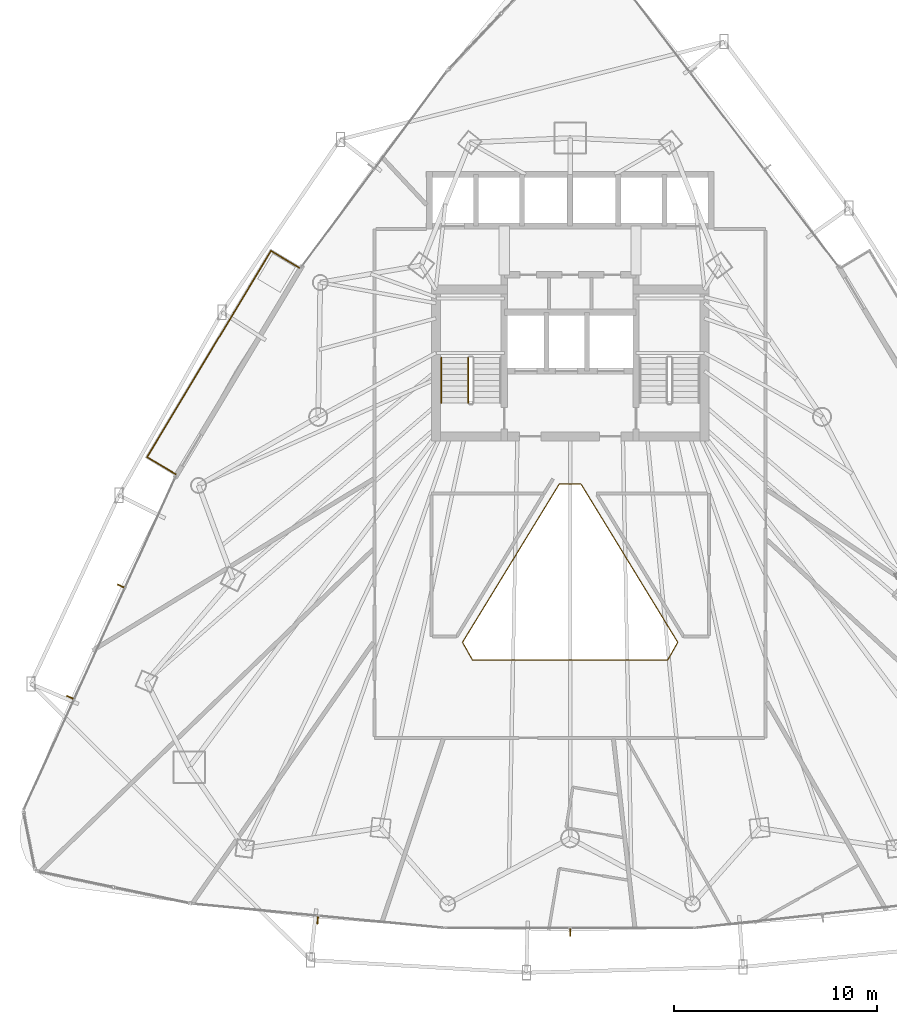
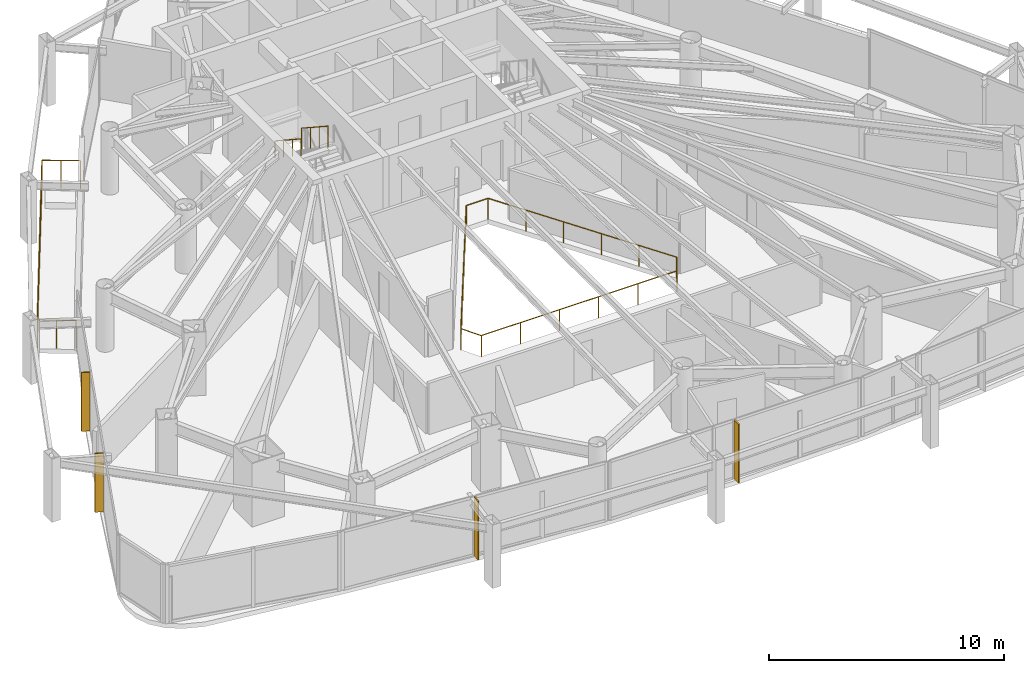
# One storey, part 31 of 33: 4 railings, 4 shading devices.
"""IFC4 building model written with IfcOpenShell, lengths in metres."""

import ifcopenshell
import ifcopenshell.guid

model = None  # the IFC model being written
_history = None  # IfcOwnerHistory: only IFC2X3 demands one
_inside = {}  # id of a spatial element -> (the spatial element, [elements in it])
_under = {}  # id of a project, library or spatial element -> (it, [spatial elements below it])
_declared = {}  # id of a project -> (the project, [libraries it declares])
_typed = {}  # id of a type object -> (the type object, [elements of that type])
_made_of = {}  # id of a material, layer set ... -> (it, [elements and type objects made of it])


def new_model(schema):
    """Start an empty IFC model of exactly this schema.

    Asked for "IFC4X3", IfcOpenShell would pick the latest addendum, in which some entities
    have other attributes; the version numbers below select the first issue.
    IFC2X3 requires an IfcOwnerHistory on every rooted entity: one is made here for all.
    """
    global model, _history
    if schema == "IFC4X3":
        model = ifcopenshell.file(schema_version=(4, 3, 0, 0))
    else:
        model = ifcopenshell.file(schema=schema)
    _inside.clear()
    _under.clear()
    _declared.clear()
    _typed.clear()
    _made_of.clear()
    _history = None
    if model.schema == "IFC2X3":
        org = make("IfcOrganization", Name="unknown")
        user = make(
            "IfcPersonAndOrganization",
            ThePerson=make("IfcPerson", FamilyName="unknown"),
            TheOrganization=org,
        )
        app = make(
            "IfcApplication",
            ApplicationDeveloper=org,
            Version="unknown",
            ApplicationFullName="unknown",
            ApplicationIdentifier="unknown",
        )
        _history = make(
            "IfcOwnerHistory",
            OwningUser=user,
            OwningApplication=app,
            ChangeAction="ADDED",
            CreationDate=0,
        )
    return model


def make(cls, **values):
    """One entity of the class cls with the attributes given. An attribute that is None is left unset."""
    return model.create_entity(
        cls, **{name: value for name, value in values.items() if value is not None}
    )


def rooted(cls, **values):
    """An entity with a GlobalId (a new one), such as an element, a storey or a relation."""
    return make(cls, GlobalId=ifcopenshell.guid.new(), OwnerHistory=_history, **values)


def si_unit(unit_type, name, prefix=None):
    """IfcSIUnit, for example si_unit("LENGTHUNIT", "METRE", prefix="MILLI")."""
    return make("IfcSIUnit", UnitType=unit_type, Prefix=prefix, Name=name)


def assignment(units):
    """IfcUnitAssignment: the units of a project."""
    return None if units is None else make("IfcUnitAssignment", Units=units)


def point(xyz):
    """IfcCartesianPoint."""
    return None if xyz is None else make("IfcCartesianPoint", Coordinates=xyz)


def direction(xyz):
    """IfcDirection."""
    return None if xyz is None else make("IfcDirection", DirectionRatios=xyz)


def frame(location, z_axis=None, x_axis=None):
    """IfcAxis2Placement3D, a coordinate frame: its origin and axes. An axis left out is left unset."""
    return make(
        "IfcAxis2Placement3D",
        Location=point(location),
        Axis=direction(z_axis),
        RefDirection=direction(x_axis),
    )


def frame_2d(location, x_axis=None):
    """IfcAxis2Placement2D, a coordinate frame in the plane: its origin and x axis."""
    return make(
        "IfcAxis2Placement2D", Location=point(location), RefDirection=direction(x_axis)
    )


def origin():
    """The frame at (0, 0, 0) with its axes left unset."""
    return frame((0.0, 0.0, 0.0))


def origin_2d():
    """The frame at (0, 0) in the plane with its x axis left unset."""
    return frame_2d((0.0, 0.0))


def place(relative_to, where):
    """IfcLocalPlacement: puts the frame where relative to a parent placement (None: the world)."""
    return make(
        "IfcLocalPlacement", PlacementRelTo=relative_to, RelativePlacement=where
    )


def context(
    kind, dimensions, precision=None, world=None, true_north=None, identifier=None
):
    """IfcGeometricRepresentationContext, for example the 3D "Model" context."""
    return make(
        "IfcGeometricRepresentationContext",
        ContextIdentifier=identifier,
        ContextType=kind,
        CoordinateSpaceDimension=dimensions,
        Precision=precision,
        WorldCoordinateSystem=world,
        TrueNorth=true_north,
    )


def subcontext(parent, identifier, kind, view, scale=None):
    """IfcGeometricRepresentationSubContext, for example "Body" below "Model"."""
    return make(
        "IfcGeometricRepresentationSubContext",
        ContextIdentifier=identifier,
        ContextType=kind,
        ParentContext=parent,
        TargetScale=scale,
        TargetView=view,
    )


def project(units=None, contexts=None):
    """IfcProject with its units and contexts."""
    return rooted(
        "IfcProject",
        Name="project",
        RepresentationContexts=contexts,
        UnitsInContext=assignment(units),
    )


def spatial(cls, under=None, at=None, **own):
    """A site, building, storey or space (cls), placed at a placement, below another one or the project."""
    s = rooted(cls, ObjectPlacement=at, **own)
    if under is not None:
        _under.setdefault(under.id(), (under, []))[1].append(s)
    return s


def profile(cls, at=None, kind="AREA", **sizes):
    """A parametric profile (cls). Its sizes go by their IFC names, for example OverallWidth=200.0."""
    return make(cls, ProfileType=kind, Position=at, **sizes)


def rectangle(**sizes):
    """IfcRectangleProfileDef."""
    return profile("IfcRectangleProfileDef", **sizes)


def circle(**sizes):
    """IfcCircleProfileDef."""
    return profile("IfcCircleProfileDef", **sizes)


def extrude(swept, where, along, depth):
    """IfcExtrudedAreaSolid: the profile swept, set in the frame where, extruded along a direction by depth."""
    return make(
        "IfcExtrudedAreaSolid",
        SweptArea=swept,
        Position=where,
        ExtrudedDirection=direction(along),
        Depth=depth,
    )


def shape(context_of_items, identifier, shape_type, items):
    """IfcShapeRepresentation: the items that make up one representation, for example the "Body"."""
    return make(
        "IfcShapeRepresentation",
        ContextOfItems=context_of_items,
        RepresentationIdentifier=identifier,
        RepresentationType=shape_type,
        Items=items,
    )


def material(Name=None, Category=None):
    """IfcMaterial."""
    return make("IfcMaterial", Name=Name, Category=Category)


def layer(
    of_material, thickness, ventilated=None, Name=None, Category=None, Priority=None
):
    """IfcMaterialLayer: one layer of a wall or slab, of a material (None: an air gap)."""
    return make(
        "IfcMaterialLayer",
        Material=of_material,
        LayerThickness=thickness,
        IsVentilated=ventilated,
        Name=Name,
        Category=Category,
        Priority=Priority,
    )


def layer_set(layers, Name=None):
    """IfcMaterialLayerSet."""
    return make("IfcMaterialLayerSet", MaterialLayers=layers, LayerSetName=Name)


def made_of(thing, what):
    """Note that an element or type object is made of a material, layer set ...; save() writes the relation."""
    if what is not None:
        _made_of.setdefault(what.id(), (what, []))[1].append(thing)
    return thing


def type_object(cls, material=None, **own):
    """A type object (cls), such as IfcWallType, which elements share."""
    return made_of(rooted(cls, **own), material)


def element(
    cls,
    number,
    at=None,
    inside=None,
    cuts=None,
    type_object=None,
    material=None,
    context=None,
    identifier="Body",
    shape_type=None,
    held_by="IfcProductDefinitionShape",
    body=None,
    shapes=None,
    **own,
):
    """One element of the class cls, such as IfcWall. Its Tag is "e" and its number.

    at: its placement. inside: the storey or other place that contains it. cuts: it is an
    opening in that element (IfcRelVoidsElement). A single representation is given by context,
    identifier, shape_type and body (its items); several are given by shapes. held_by: the class
    of the entity that holds the representations. save() writes the other relations.
    """
    e = rooted(cls, Tag="e%d" % number, ObjectPlacement=at, **own)
    if body is not None:
        shapes = [shape(context, identifier, shape_type, body)]
    if shapes is not None:
        e.Representation = make(held_by, Representations=shapes)
    if inside is not None:
        _inside.setdefault(inside.id(), (inside, []))[1].append(e)
    if cuts is not None:
        rooted(
            "IfcRelVoidsElement", RelatingBuildingElement=cuts, RelatedOpeningElement=e
        )
    if type_object is not None:
        _typed.setdefault(type_object.id(), (type_object, []))[1].append(e)
    return made_of(e, material)


def aggregate(whole, parts):
    """IfcRelAggregates: a whole, such as a stair, and the parts it consists of."""
    return rooted("IfcRelAggregates", RelatingObject=whole, RelatedObjects=parts)


def save(model, path):
    """Write the relations noted so far, then the file.

    IfcRelAggregates (storeys below a building ...), IfcRelContainedInSpatialStructure (elements
    in a storey), IfcRelDefinesByType, IfcRelAssociatesMaterial and IfcRelDeclares: one each for
    every whole, place, type object, material and project.
    """
    for whole, parts in _under.values():
        aggregate(whole, parts)
    for where, things in _inside.values():
        rooted(
            "IfcRelContainedInSpatialStructure",
            RelatedElements=things,
            RelatingStructure=where,
        )
    for kind, things in _typed.values():
        rooted("IfcRelDefinesByType", RelatedObjects=things, RelatingType=kind)
    for what, things in _made_of.values():
        rooted("IfcRelAssociatesMaterial", RelatedObjects=things, RelatingMaterial=what)
    for by, libraries in _declared.values():
        rooted("IfcRelDeclares", RelatingContext=by, RelatedDefinitions=libraries)
    model.write(path)


model = new_model("IFC4")

# Units and contexts
model_context = context("Model", 3, precision=1e-05, world=origin(), true_north=direction((0.0, 1.0)))
body_context = subcontext(model_context, "Body", "Model", "MODEL_VIEW")
ifc_project = project(units=[si_unit("LENGTHUNIT", "METRE"), si_unit("AREAUNIT", "SQUARE_METRE"), si_unit("VOLUMEUNIT", "CUBIC_METRE"), si_unit("PLANEANGLEUNIT", "RADIAN"), si_unit("MASSUNIT", "GRAM", prefix="KILO")], contexts=[model_context])

# Site, building, storey
site_placement = place(None, origin())
site = spatial("IfcSite", under=ifc_project, at=site_placement, CompositionType="ELEMENT")
building_placement = place(site_placement, origin())
building = spatial("IfcBuilding", under=site, at=building_placement, Name="Orvanel Arch Residences", CompositionType="ELEMENT")
storey_placement = place(building_placement, frame((0.0, 0.0, 90.64990234375)))
storey = spatial("IfcBuildingStorey", under=building, at=storey_placement, Name="L25", CompositionType="ELEMENT", Elevation=90.64990234375)

# Shading devices
ifc_material_1 = material(Name="Bronze-anodised aluminium AA6063-T6", Category="aluminium")
ifc_layer = layer(ifc_material_1, 0.06005859375)
ifc_layer_set = layer_set([ifc_layer], Name="Bronze-anodised aluminium AA6063-T6")
shading_device_type = type_object("IfcShadingDeviceType", Name="FIN-BRZ-380", PredefinedType="USERDEFINED", material=ifc_layer_set)
for number, where, z_axis, x_axis, name in (
    (1, (10.8359375, 19.291015625, 0.0), (0.0, 0.0, 1.0), (-0.909961270877, 0.414693242656, 0.0), "L25 Anodised Bronze Mullion FIN 01"),
    (2, (8.330078125, 13.797119140625, 0.0), (0.0, 0.0, 1.0), (-0.909961270877, 0.414693242656, 0.0), "L25 Anodised Bronze Mullion FIN 02"),
    (3, (20.544921875, 2.802001953125, 0.0), (0.0, 0.0, 1.0), (-0.09584575252, -0.995396198367, 0.0), "L25 Anodised Bronze Mullion FIN 01"),
    (4, (33.0, 2.205078125, 0.0), (0.0, 0.0, 1.0), (0.0, -1.0, 0.0), "L25 Anodised Bronze Mullion FIN 01"),
):
    element("IfcShadingDevice", number, at=place(storey_placement, frame(where, z_axis=z_axis, x_axis=x_axis)), inside=storey, type_object=shading_device_type, Name=name, ObjectType="FIN", PredefinedType="USERDEFINED", context=body_context, shape_type="SweptSolid", body=[
        extrude(rectangle(XDim=0.3798828125, YDim=0.06005859375, at=origin_2d()), origin(), (0.0, 0.0, 1.0), 3.06005859375),
    ])

# Railings
railing_type_1 = type_object("IfcRailingType", Name="RL-ATR-1120", PredefinedType="BALUSTRADE", material=ifc_material_1)
railing_1_placement = place(storey_placement, frame((33.5380859375, 24.320068359375, 0.0)))
element("IfcRailing", 5, at=railing_1_placement, inside=storey, type_object=railing_type_1, Name="L25 Atrium Void Protective Balustrade", PredefinedType="BALUSTRADE", context=body_context, shape_type="SweptSolid", body=[
    extrude(circle(Radius=0.02392578125, at=origin_2d()), frame((-0.00146484375, 0.0, 1.09619140625), z_axis=(-1.0, 0.0, 0.0), x_axis=(0.0, -1.0, 0.0)), (0.0, 0.0, 1.0), 1.0732421875),
    extrude(circle(Radius=0.02392578125, at=origin_2d()), frame((-1.076904296875, -0.001220703125, 1.09619140625), z_axis=(-0.521572022465, -0.853207258163, 0.0), x_axis=(0.853207258163, -0.521572022465, 0.0)), (0.0, 0.0, 1.0), 9.142578125),
    extrude(circle(Radius=0.02392578125, at=origin_2d()), frame((-5.845458984375, -7.80419921875, 1.09619140625), z_axis=(0.489560568863, -0.871969293849, 0.0), x_axis=(0.871969293849, 0.489560568863, 0.0)), (0.0, 0.0, 1.0), 1.00634765625),
    extrude(circle(Radius=0.02392578125, at=origin_2d()), frame((-5.3505859375, -8.68310546875, 1.09619140625), z_axis=(1.0, 0.0, 0.0), x_axis=(0.0, 1.0, 0.0)), (0.0, 0.0, 1.0), 9.625),
    extrude(circle(Radius=0.02392578125, at=origin_2d()), frame((4.276611328125, -8.681884765625, 1.09619140625), z_axis=(0.489560568863, 0.871969293849, 0.0), x_axis=(-0.871969293849, 0.489560568863, 0.0)), (0.0, 0.0, 1.0), 1.00634765625),
    extrude(circle(Radius=0.02392578125, at=origin_2d()), frame((4.769287109375, -7.8017578125, 1.09619140625), z_axis=(-0.521572022465, 0.853207258163, 0.0), x_axis=(-0.853207258163, -0.521572022465, 0.0)), (0.0, 0.0, 1.0), 9.142578125),
    extrude(circle(Radius=0.02099609375, at=origin_2d()), origin(), (0.0, 0.0, 1.0), 1.070068359375),
    extrude(circle(Radius=0.02099609375, at=origin_2d()), frame((-1.076171875, 0.0, 0.0)), (0.0, 0.0, 1.0), 1.070068359375),
    extrude(circle(Radius=0.02099609375, at=origin_2d()), frame((-2.0302734375, -1.560546875, 0.0)), (0.0, 0.0, 1.0), 1.070068359375),
    extrude(circle(Radius=0.02099609375, at=origin_2d()), frame((-2.984130859375, -3.12109375, 0.0)), (0.0, 0.0, 1.0), 1.070068359375),
    extrude(circle(Radius=0.02099609375, at=origin_2d()), frame((-3.938232421875, -4.681884765625, 0.0)), (0.0, 0.0, 1.0), 1.070068359375),
    extrude(circle(Radius=0.02099609375, at=origin_2d()), frame((-4.89208984375, -6.242431640625, 0.0)), (0.0, 0.0, 1.0), 1.070068359375),
    extrude(circle(Radius=0.02099609375, at=origin_2d()), frame((-5.84619140625, -7.802978515625, 0.0)), (0.0, 0.0, 1.0), 1.070068359375),
    extrude(circle(Radius=0.02099609375, at=origin_2d()), frame((-5.35205078125, -8.68310546875, 0.0)), (0.0, 0.0, 1.0), 1.070068359375),
    extrude(circle(Radius=0.02099609375, at=origin_2d()), frame((-3.426513671875, -8.68310546875, 0.0)), (0.0, 0.0, 1.0), 1.070068359375),
    extrude(circle(Radius=0.02099609375, at=origin_2d()), frame((-1.5009765625, -8.68310546875, 0.0)), (0.0, 0.0, 1.0), 1.070068359375),
    extrude(circle(Radius=0.02099609375, at=origin_2d()), frame((0.4248046875, -8.68310546875, 0.0)), (0.0, 0.0, 1.0), 1.070068359375),
    extrude(circle(Radius=0.02099609375, at=origin_2d()), frame((2.350341796875, -8.68310546875, 0.0)), (0.0, 0.0, 1.0), 1.070068359375),
    extrude(circle(Radius=0.02099609375, at=origin_2d()), frame((4.27587890625, -8.68310546875, 0.0)), (0.0, 0.0, 1.0), 1.070068359375),
    extrude(circle(Radius=0.02099609375, at=origin_2d()), frame((4.77001953125, -7.802978515625, 0.0)), (0.0, 0.0, 1.0), 1.070068359375),
    extrude(circle(Radius=0.02099609375, at=origin_2d()), frame((3.81591796875, -6.242431640625, 0.0)), (0.0, 0.0, 1.0), 1.070068359375),
    extrude(circle(Radius=0.02099609375, at=origin_2d()), frame((2.862060546875, -4.681884765625, 0.0)), (0.0, 0.0, 1.0), 1.070068359375),
    extrude(circle(Radius=0.02099609375, at=origin_2d()), frame((1.907958984375, -3.12109375, 0.0)), (0.0, 0.0, 1.0), 1.070068359375),
    extrude(circle(Radius=0.02099609375, at=origin_2d()), frame((0.9541015625, -1.560546875, 0.0)), (0.0, 0.0, 1.0), 1.070068359375),
])
railing_type_2 = type_object("IfcRailingType", Name="RL-BAL-1480", PredefinedType="BALUSTRADE", material=ifc_material_1)
railing_2_placement = place(storey_placement, frame((19.639892578125, 34.986083984375, 0.0)))
element("IfcRailing", 6, at=railing_2_placement, inside=storey, type_object=railing_type_2, Name="L25 Balcony Perimeter Guardrail Face 1", PredefinedType="BALUSTRADE", context=body_context, shape_type="SweptSolid", body=[
    extrude(circle(Radius=0.02392578125, at=origin_2d()), frame((-0.001220703125, 0.000732421875, 1.4560546875), z_axis=(-0.857387817543, 0.514670895164, 0.0), x_axis=(-0.514670895164, -0.857387817543, 0.0)), (0.0, 0.0, 1.0), 1.636962890625),
    extrude(circle(Radius=0.02392578125, at=origin_2d()), frame((-1.40673828125, 0.8427734375, 1.4560546875), z_axis=(-0.51443221159, -0.857531048813, 0.0), x_axis=(0.857531048813, -0.51443221159, 0.0)), (0.0, 0.0, 1.0), 11.862548828125),
    extrude(circle(Radius=0.02392578125, at=origin_2d()), frame((-7.5087890625, -9.331787109375, 1.4560546875), z_axis=(0.857584807373, -0.514342588322, 0.0), x_axis=(0.514342588322, 0.857584807373, 0.0)), (0.0, 0.0, 1.0), 1.637939453125),
    extrude(circle(Radius=0.02099609375, at=origin_2d()), origin(), (0.0, 0.0, 1.0), 1.429931640625),
    extrude(circle(Radius=0.02099609375, at=origin_2d()), frame((-0.703125, 0.421875, 0.0)), (0.0, 0.0, 1.0), 1.429931640625),
    extrude(circle(Radius=0.02099609375, at=origin_2d()), frame((-1.406005859375, 0.843994140625, 0.0)), (0.0, 0.0, 1.0), 1.429931640625),
    extrude(circle(Radius=0.02099609375, at=origin_2d()), frame((-2.016357421875, -0.173583984375, 0.0)), (0.0, 0.0, 1.0), 1.429931640625),
    extrude(circle(Radius=0.02099609375, at=origin_2d()), frame((-2.626708984375, -1.19091796875, 0.0)), (0.0, 0.0, 1.0), 1.429931640625),
    extrude(circle(Radius=0.02099609375, at=origin_2d()), frame((-3.2373046875, -2.20849609375, 0.0)), (0.0, 0.0, 1.0), 1.429931640625),
    extrude(circle(Radius=0.02099609375, at=origin_2d()), frame((-3.84765625, -3.22607421875, 0.0)), (0.0, 0.0, 1.0), 1.429931640625),
    extrude(circle(Radius=0.02099609375, at=origin_2d()), frame((-4.4580078125, -4.24365234375, 0.0)), (0.0, 0.0, 1.0), 1.429931640625),
    extrude(circle(Radius=0.02099609375, at=origin_2d()), frame((-5.068359375, -5.260986328125, 0.0)), (0.0, 0.0, 1.0), 1.429931640625),
    extrude(circle(Radius=0.02099609375, at=origin_2d()), frame((-5.6787109375, -6.278564453125, 0.0)), (0.0, 0.0, 1.0), 1.429931640625),
    extrude(circle(Radius=0.02099609375, at=origin_2d()), frame((-6.289306640625, -7.296142578125, 0.0)), (0.0, 0.0, 1.0), 1.429931640625),
    extrude(circle(Radius=0.02099609375, at=origin_2d()), frame((-6.899658203125, -8.3134765625, 0.0)), (0.0, 0.0, 1.0), 1.429931640625),
    extrude(circle(Radius=0.02099609375, at=origin_2d()), frame((-7.510009765625, -9.3310546875, 0.0)), (0.0, 0.0, 1.0), 1.429931640625),
    extrude(circle(Radius=0.02099609375, at=origin_2d()), frame((-6.806396484375, -9.7529296875, 0.0)), (0.0, 0.0, 1.0), 1.429931640625),
    extrude(circle(Radius=0.02099609375, at=origin_2d()), frame((-6.102783203125, -10.175048828125, 0.0)), (0.0, 0.0, 1.0), 1.429931640625),
])
ifc_material_2 = material(Name="Structural steel AS/NZS 1163 C350L0 (Grade 350)", Category="steel")
railing_type_3 = type_object("IfcRailingType", Name="RL-STAIR-GUARD", PredefinedType="GUARDRAIL", material=ifc_material_2)
railing_3_placement = place(storey_placement, frame((27.969970703125, 30.56005859375, 1.83349609375)))
element("IfcRailing", 7, at=railing_3_placement, inside=storey, type_object=railing_type_3, Name="L25 ST-1 stair guard 3", PredefinedType="GUARDRAIL", context=body_context, shape_type="SweptSolid", body=[
    extrude(circle(Radius=0.02392578125, at=origin_2d()), frame((0.0, -0.001220703125, 1.076904296875), z_axis=(0.0, -0.836636935527, 0.547757827979), x_axis=(1.0, 0.0, 0.0)), (0.0, 0.0, 1.0), 2.67431640625),
    extrude(circle(Radius=0.02099609375, at=origin_2d()), origin(), (0.0, 0.0, 1.0), 1.050048828125),
    extrude(circle(Radius=0.02099609375, at=origin_2d()), frame((0.0, -0.74658203125, 0.48876953125)), (0.0, 0.0, 1.0), 1.050048828125),
    extrude(circle(Radius=0.02099609375, at=origin_2d()), frame((0.0, -1.493408203125, 0.977783203125)), (0.0, 0.0, 1.0), 1.050048828125),
    extrude(circle(Radius=0.02099609375, at=origin_2d()), frame((0.0, -2.239990234375, 1.466552734375)), (0.0, 0.0, 1.0), 1.050048828125),
])
railing_type_4 = type_object("IfcRailingType", Name="RL-STAIR-HAND", PredefinedType="HANDRAIL", material=ifc_material_2)
railing_4_placement = place(storey_placement, frame((26.64990234375, 30.56005859375, 1.83349609375)))
element("IfcRailing", 8, at=railing_4_placement, inside=storey, type_object=railing_type_4, Name="L25 ST-1 stair handrail 2", PredefinedType="HANDRAIL", context=body_context, shape_type="SweptSolid", body=[
    extrude(circle(Radius=0.02392578125, at=origin_2d()), frame((0.0, -0.001220703125, 0.876708984375), z_axis=(0.0, -0.836636935527, 0.547757827979), x_axis=(1.0, 0.0, 0.0)), (0.0, 0.0, 1.0), 2.67431640625),
    extrude(circle(Radius=0.02099609375, at=origin_2d()), origin(), (0.0, 0.0, 1.0), 0.849853515625),
    extrude(circle(Radius=0.02099609375, at=origin_2d()), frame((0.0, -0.74658203125, 0.48876953125)), (0.0, 0.0, 1.0), 0.849853515625),
    extrude(circle(Radius=0.02099609375, at=origin_2d()), frame((0.0, -1.493408203125, 0.977783203125)), (0.0, 0.0, 1.0), 0.849853515625),
    extrude(circle(Radius=0.02099609375, at=origin_2d()), frame((0.0, -2.239990234375, 1.466552734375)), (0.0, 0.0, 1.0), 0.849853515625),
])

save(model, "model.ifc")
